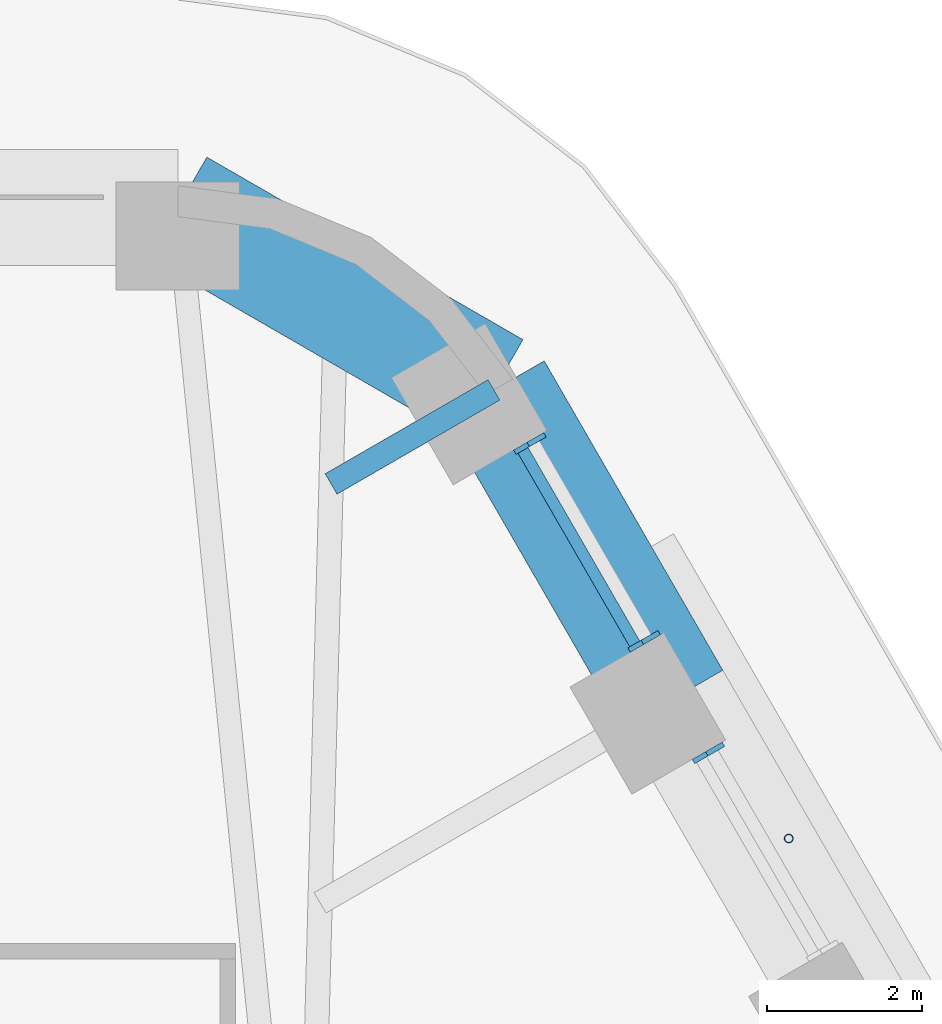
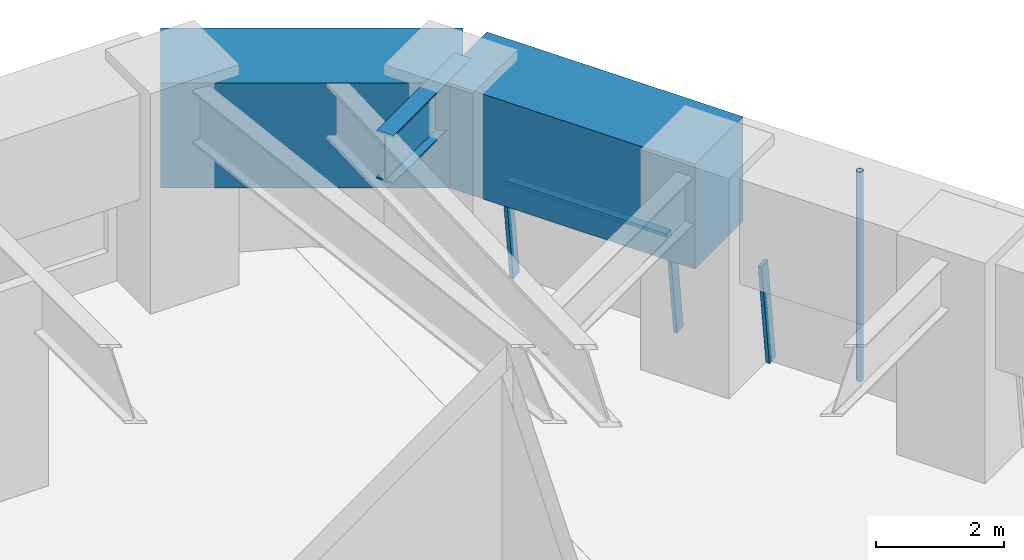
# One storey, part 12 of 20: 5 members, 3 beams, 2 elements without a shape of their own.
"""IFC4 building model written with IfcOpenShell, lengths in metres."""

from ifc_helpers import new_model, si_unit, direction, frame, origin, origin_2d, place, context, subcontext, project, spatial, rectangle, hollow_circle, i_section, extrude, material, material_profile, profile_set, type_object, element, aggregate, save


model = new_model("IFC4")

# Units and contexts
model_context = context("Model", 3, precision=1e-05, world=origin(), true_north=direction((0.0, 1.0)))
body_context = subcontext(model_context, "Body", "Model", "MODEL_VIEW")
ifc_project = project(units=[si_unit("LENGTHUNIT", "METRE"), si_unit("AREAUNIT", "SQUARE_METRE"), si_unit("VOLUMEUNIT", "CUBIC_METRE"), si_unit("PLANEANGLEUNIT", "RADIAN"), si_unit("MASSUNIT", "GRAM", prefix="KILO")], contexts=[model_context])

# Site, building, storey
site_placement = place(None, origin())
site = spatial("IfcSite", under=ifc_project, at=site_placement, CompositionType="ELEMENT")
building_placement = place(site_placement, origin())
building = spatial("IfcBuilding", under=site, at=building_placement, Name="Tarfa Lantern Tower", CompositionType="ELEMENT")
storey_placement = place(building_placement, frame((0.0, 0.0, 219.699951171875)))
storey = spatial("IfcBuildingStorey", under=building, at=storey_placement, Name="L49", CompositionType="ELEMENT", Elevation=219.699951171875)

# Curtain wall, member
ifc_material_1 = material(Name="Aluminium framed curtain wall", Category="aluminium")
curtain_wall_type = type_object("IfcCurtainWallType", Name="CW3 CANTED GLAZING HIGH ZONE 2000", PredefinedType="USERDEFINED", material=ifc_material_1)
curtain_wall_1_placement = place(storey_placement, origin())
curtain_wall_1 = element("IfcCurtainWall", 1, at=curtain_wall_1_placement, inside=storey, type_object=curtain_wall_type, Name="CW3 NE L49", ObjectType="CURTAIN WALL", PredefinedType="USERDEFINED")
ifc_material_2 = material(Name="Aluminium mullion", Category="aluminium")
ifc_material_profile_1 = material_profile(ifc_material_2, rectangle(XDim=0.06494140625, YDim=0.199951171875, at=origin_2d()), Name="AL MULLION 65x200")
ifc_profile_set_1 = profile_set([ifc_material_profile_1], Name="Aluminium mullion")
member_type_1 = type_object("IfcMemberType", Name="CWM1 MULLION 65x200", PredefinedType="MULLION", material=ifc_profile_set_1)
member_1_placement = place(storey_placement, frame((20.82568359375, 21.72900390625, 0.0), z_axis=(-0.107439978116, -0.062017213975, 0.992275423596), x_axis=(0.499919672301, -0.866071776036, 0.0)))
member_1 = element("IfcMember", 2, at=member_1_placement, type_object=member_type_1, Name="CW3 mullion 2", PredefinedType="MULLION", context=body_context, shape_type="SweptSolid", body=[
    extrude(rectangle(XDim=0.06494140625, YDim=0.199951171875, at=origin_2d()), origin(), (0.0, 0.0, 1.0), 2.015625),
])
aggregate(curtain_wall_1, [member_1])

# Curtain wall, members
curtain_wall_2_placement = place(storey_placement, origin())
curtain_wall_2 = element("IfcCurtainWall", 3, at=curtain_wall_2_placement, inside=storey, type_object=curtain_wall_type, Name="CW3 NE L49", ObjectType="CURTAIN WALL", PredefinedType="USERDEFINED")
member_2_placement = place(storey_placement, frame((19.9931640625, 23.1708984375, 0.0), z_axis=(-0.107439978116, -0.062017213975, 0.992275423596), x_axis=(0.499919672301, -0.866071776036, 0.0)))
member_2 = element("IfcMember", 4, at=member_2_placement, type_object=member_type_1, Name="CW3 mullion 1", PredefinedType="MULLION", context=body_context, shape_type="SweptSolid", body=[
    extrude(rectangle(XDim=0.06494140625, YDim=0.199951171875, at=origin_2d()), origin(), (0.0, 0.0, 1.0), 2.015625),
])
member_3_placement = place(storey_placement, frame((18.51611328125, 25.72900390625, 0.0), z_axis=(-0.107439978116, -0.062017213975, 0.992275423596), x_axis=(0.499919672301, -0.866071776036, 0.0)))
member_3 = element("IfcMember", 5, at=member_3_placement, type_object=member_type_1, Name="CW3 mullion 2", PredefinedType="MULLION", context=body_context, shape_type="SweptSolid", body=[
    extrude(rectangle(XDim=0.06494140625, YDim=0.199951171875, at=origin_2d()), origin(), (0.0, 0.0, 1.0), 2.015625),
])
ifc_material_3 = material(Name="Aluminium transom", Category="aluminium")
ifc_material_profile_2 = material_profile(ifc_material_3, rectangle(XDim=0.14990234375, YDim=0.06494140625, at=origin_2d()), Name="AL TRANSOM 150x65")
ifc_profile_set_2 = profile_set([ifc_material_profile_2], Name="Aluminium transom")
member_type_2 = type_object("IfcMemberType", Name="CWT1 TRANSOM 150x65", PredefinedType="USERDEFINED", material=ifc_profile_set_2)
member_4_placement = place(storey_placement, frame((19.763916015625, 23.076171875, 1.967529296875), z_axis=(-0.500056524144, 0.865992767095, 0.0), x_axis=(-0.865992767095, -0.500056524144, 0.0)))
member_4 = element("IfcMember", 6, at=member_4_placement, type_object=member_type_2, Name="CW3 transom 1.2", ObjectType="TRANSOM", PredefinedType="USERDEFINED", context=body_context, shape_type="SweptSolid", body=[
    extrude(rectangle(XDim=0.14990234375, YDim=0.06494140625, at=origin_2d()), origin(), (0.0, 0.0, 1.0), 2.888916015625),
])
aggregate(curtain_wall_2, [member_2, member_3, member_4])

# Beams
ifc_material_4 = material(Name="Concrete C80/95", Category="concrete")
ifc_material_profile_3 = material_profile(ifc_material_4, rectangle(XDim=1.5, YDim=2.0, at=origin_2d()), Name="RC 1500x2000")
ifc_profile_set_3 = profile_set([ifc_material_profile_3], Name="Concrete C80/95")
beam_type_1 = type_object("IfcBeamType", Name="RB3 RC 1500x2000", PredefinedType="BEAM", material=ifc_profile_set_3)
beam_1_placement = place(storey_placement, frame((20.25341796875, 22.360107421875, 3.0), z_axis=(-0.499987836815, 0.866032426089, 0.0), x_axis=(-0.866032426089, -0.499987836815, 0.0)))
element("IfcBeam", 7, at=beam_1_placement, inside=storey, type_object=beam_type_1, Name="Edge beam NE5", PredefinedType="BEAM", context=body_context, shape_type="SweptSolid", body=[
    extrude(rectangle(XDim=1.5, YDim=2.0, at=origin_2d()), origin(), (0.0, 0.0, 1.0), 4.61865234375),
])
beam_2_placement = place(storey_placement, frame((17.944091796875, 26.360107421875, 3.0), z_axis=(-0.866038294681, 0.499977671647, 0.0), x_axis=(-0.499977671647, -0.866038294681, 0.0)))
element("IfcBeam", 8, at=beam_2_placement, inside=storey, type_object=beam_type_1, Name="Edge beam NE6", PredefinedType="BEAM", context=body_context, shape_type="SweptSolid", body=[
    extrude(rectangle(XDim=1.5, YDim=2.0, at=origin_2d()), origin(), (0.0, 0.0, 1.0), 4.719970703125),
])

# Member
ifc_material_5 = material(Name="Steel S355", Category="steel")
ifc_material_profile_4 = material_profile(ifc_material_5, hollow_circle(Radius=0.05712890625, WallThickness=0.00634765625, at=origin_2d()), Name="CHS114.3x6.3")
ifc_profile_set_4 = profile_set([ifc_material_profile_4], Name="Steel S355")
member_type_3 = type_object("IfcMemberType", Name="TR1 GREEN WALL TRELLIS CHS114.3x6.3", PredefinedType="USERDEFINED", material=ifc_profile_set_4)
member_5_placement = place(storey_placement, frame((21.754638671875, 20.56005859375, 0.0), z_axis=(0.0, 0.0, 1.0), x_axis=(1.0, 0.0, 0.0)))
element("IfcMember", 9, at=member_5_placement, inside=storey, type_object=member_type_3, Name="Trellis post NE 2", ObjectType="TRELLIS", PredefinedType="USERDEFINED", context=body_context, shape_type="SweptSolid", body=[
    extrude(hollow_circle(Radius=0.05712890625, WallThickness=0.00634765625, at=origin_2d()), origin(), (0.0, 0.0, 1.0), 4.0),
])

# Beam
ifc_material_6 = material(Name="Steel S460M", Category="steel")
ifc_material_profile_5 = material_profile(ifc_material_6, i_section(OverallWidth=0.305419921875, OverallDepth=0.91845703125, WebThickness=0.017333984375, FlangeThickness=0.02783203125, FilletRadius=0.01904296875, at=origin_2d()), Name="UB914x305x253")
ifc_profile_set_5 = profile_set([ifc_material_profile_5], Name="Steel S460M")
beam_type_2 = type_object("IfcBeamType", Name="UB914x305x253", PredefinedType="BEAM", material=ifc_profile_set_5)
beam_3_placement = place(storey_placement, frame((17.944091796875, 26.360107421875, 3.540771484375), z_axis=(-0.865980009423, -0.5000786171, 0.0), x_axis=(0.5000786171, -0.865980009423, 0.0)))
element("IfcBeam", 10, at=beam_3_placement, inside=storey, type_object=beam_type_2, Name="Floor beam NE6", PredefinedType="BEAM", context=body_context, shape_type="SweptSolid", body=[
    extrude(i_section(OverallWidth=0.305419921875, OverallDepth=0.91845703125, WebThickness=0.017333984375, FlangeThickness=0.02783203125, FilletRadius=0.01904296875, at=origin_2d()), origin(), (0.0, 0.0, 1.0), 2.4326171875),
])

save(model, "model.ifc")
